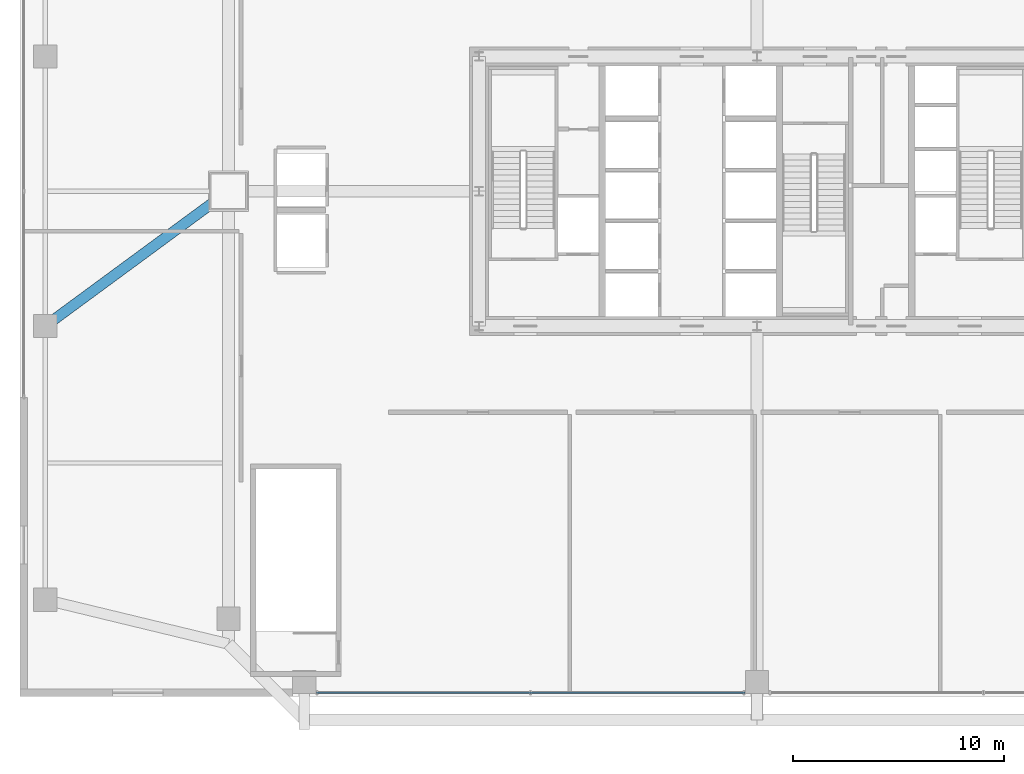
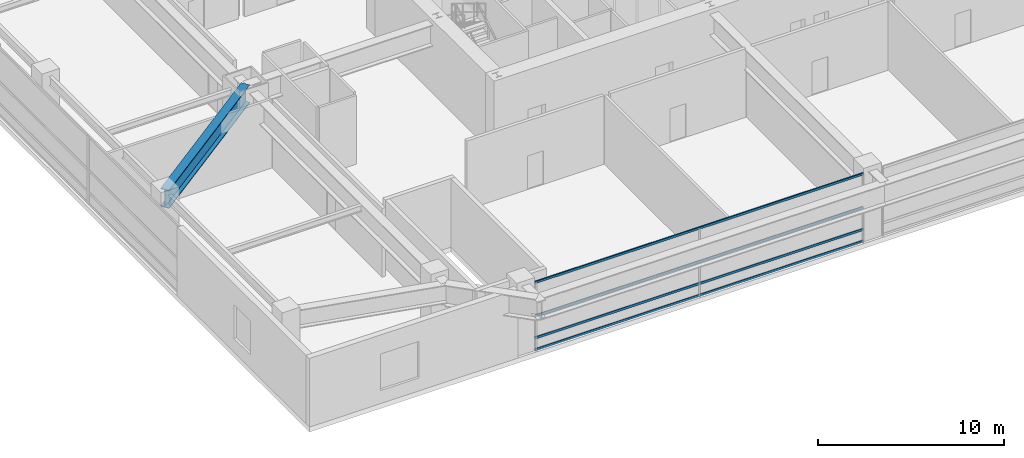
# One storey, part 8 of 34: 4 members, 1 beam, 1 element without a shape of its own.
"""IFC4 building model written with IfcOpenShell, lengths in metres."""

from ifc_helpers import new_model, si_unit, direction, frame, origin, origin_2d, place, context, subcontext, project, spatial, hollow_rectangle, i_section, extrude, source, transform, mapped, material, layer, layer_set, material_profile, profile_set, type_object, element, aggregate, save


model = new_model("IFC4")

# Units and contexts
model_context = context("Model", 3, precision=1e-05, world=origin(), true_north=direction((0.0, 1.0)))
body_context = subcontext(model_context, "Body", "Model", "MODEL_VIEW")
ifc_project = project(units=[si_unit("LENGTHUNIT", "METRE"), si_unit("AREAUNIT", "SQUARE_METRE"), si_unit("VOLUMEUNIT", "CUBIC_METRE"), si_unit("PLANEANGLEUNIT", "RADIAN"), si_unit("MASSUNIT", "GRAM", prefix="KILO"), si_unit("THERMODYNAMICTEMPERATUREUNIT", "KELVIN"), si_unit("POWERUNIT", "WATT")], contexts=[model_context])

# Site, building, storey
site_placement = place(None, origin())
site = spatial("IfcSite", under=ifc_project, at=site_placement, CompositionType="ELEMENT")
building_placement = place(site_placement, origin())
building = spatial("IfcBuilding", under=site, at=building_placement, Name="Yuzanri Waterfront Tower", CompositionType="ELEMENT")
storey_placement = place(building_placement, frame((0.0, 0.0, 25.800048828125)))
storey = spatial("IfcBuildingStorey", under=building, at=storey_placement, Name="L06", CompositionType="ELEMENT", Elevation=25.800048828125)

# Beam
ifc_material_1 = material(Name="Steel Q420GJC", Category="steel")
ifc_material_profile_1 = material_profile(ifc_material_1, i_section(OverallWidth=0.5, OverallDepth=1.199951171875, WebThickness=0.028076171875, FlangeThickness=0.050048828125, at=origin_2d()), Name="PG 1200x500x28x50")
ifc_profile_set_1 = profile_set([ifc_material_profile_1], Name="Steel Q420GJC")
beam_type = type_object("IfcBeamType", Name="Setback Transfer Girder Q420GJC PG 1200x500", PredefinedType="USERDEFINED", material=ifc_profile_set_1)
shared_shape_1 = source(origin(), body_context, "Body", "SweptSolid", [
    extrude(i_section(OverallWidth=0.5, OverallDepth=1.199951171875, WebThickness=0.028076171875, FlangeThickness=0.050048828125, at=origin_2d()), origin(), (0.0, 0.0, 1.0), 10.800537109375),
])
beam_placement = place(storey_placement, frame((11.89990234375, 25.800048828125, 3.89990234375), z_axis=(-0.805512964712, -0.592578149851, 0.0), x_axis=(0.592578149851, -0.805512964712, 0.0)))
element("IfcBeam", 1, at=beam_placement, inside=storey, type_object=beam_type, Name="L06 Tower Base Transfer W2B", ObjectType="GIRDER", PredefinedType="USERDEFINED", context=body_context, shape_type="MappedRepresentation", body=[
    mapped(shared_shape_1, transform((0.0, 0.0, 0.0), scale=1.0)),
])

# Curtain wall, members
ifc_material_2 = material(Name="Anodized Architectural Bronze", Category="metal")
ifc_layer = layer(ifc_material_2, 0.159912109375)
ifc_layer_set = layer_set([ifc_layer], Name="Anodized Architectural Bronze")
curtain_wall_type = type_object("IfcCurtainWallType", Name="Anodized Bronze Podium Waterfront Double-Height Unitized Curtain Wall 8400", PredefinedType="NOTDEFINED", material=ifc_layer_set)
curtain_wall_placement = place(storey_placement, origin())
curtain_wall = element("IfcCurtainWall", 2, at=curtain_wall_placement, inside=storey, type_object=curtain_wall_type, Name="L06 Curtain Wall CW-L06-S1", PredefinedType="NOTDEFINED")
ifc_material_3 = material(Name="Anodized Architectural Bronze", Category="metal")
ifc_material_profile_2 = material_profile(ifc_material_3, hollow_rectangle(XDim=0.074951171875, YDim=0.14990234375, WallThickness=0.00390625, at=origin_2d()), Name="CWT 75x150")
ifc_profile_set_2 = profile_set([ifc_material_profile_2], Name="Anodized Architectural Bronze")
member_type = type_object("IfcMemberType", Name="Anodized Bronze Primary Curtain-Wall Transom 75x150", PredefinedType="USERDEFINED", material=ifc_profile_set_2)
shared_shape_2 = source(origin(), body_context, "Body", "SweptSolid", [
    extrude(hollow_rectangle(XDim=0.074951171875, YDim=0.14990234375, WallThickness=0.00390625, at=origin_2d()), origin(), (0.0, 0.0, 1.0), 20.35986328125),
])
member_1_placement = place(storey_placement, frame((16.070068359375, 1.97998046875, 0.050048828125), z_axis=(1.0, 0.0, 0.0), x_axis=(0.0, 1.0, 0.0)))
member_1 = element("IfcMember", 3, at=member_1_placement, type_object=member_type, Name="CW-L06-S1 Transom 1", ObjectType="TRANSOM", PredefinedType="USERDEFINED", context=body_context, shape_type="MappedRepresentation", body=[
    mapped(shared_shape_2, transform((0.0, 0.0, 0.0), scale=1.0)),
])
member_2_placement = place(storey_placement, frame((16.070068359375, 1.97998046875, 0.820068359375), z_axis=(1.0, 0.0, 0.0), x_axis=(0.0, 1.0, 0.0)))
member_2 = element("IfcMember", 4, at=member_2_placement, type_object=member_type, Name="CW-L06-S1 Transom 2", ObjectType="TRANSOM", PredefinedType="USERDEFINED", context=body_context, shape_type="MappedRepresentation", body=[
    mapped(shared_shape_2, transform((0.0, 0.0, 0.0), scale=1.0)),
])
member_3_placement = place(storey_placement, frame((16.070068359375, 1.97998046875, 2.25), z_axis=(1.0, 0.0, 0.0), x_axis=(0.0, 1.0, 0.0)))
member_3 = element("IfcMember", 5, at=member_3_placement, type_object=member_type, Name="CW-L06-S1 Transom 3", ObjectType="TRANSOM", PredefinedType="USERDEFINED", context=body_context, shape_type="MappedRepresentation", body=[
    mapped(shared_shape_2, transform((0.0, 0.0, 0.0), scale=1.0)),
])
member_4_placement = place(storey_placement, frame((16.070068359375, 1.97998046875, 4.449951171875), z_axis=(1.0, 0.0, 0.0), x_axis=(0.0, 1.0, 0.0)))
member_4 = element("IfcMember", 6, at=member_4_placement, type_object=member_type, Name="CW-L06-S1 Transom 4", ObjectType="TRANSOM", PredefinedType="USERDEFINED", context=body_context, shape_type="MappedRepresentation", body=[
    mapped(shared_shape_2, transform((0.0, 0.0, 0.0), scale=1.0)),
])
aggregate(curtain_wall, [member_1, member_2, member_3, member_4])

save(model, "model.ifc")
